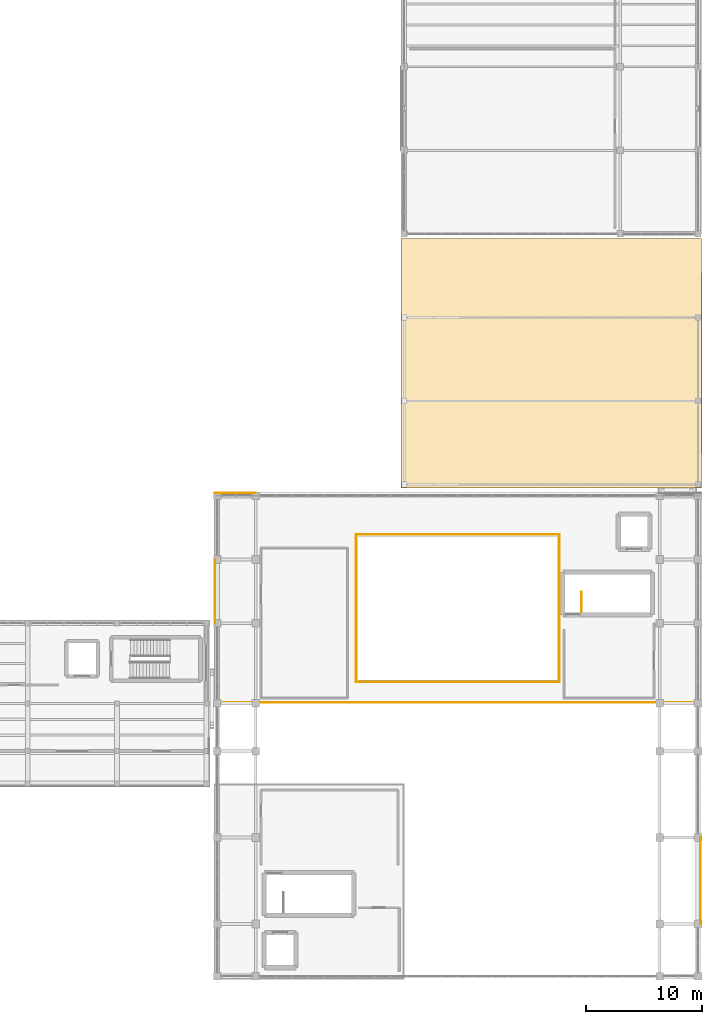
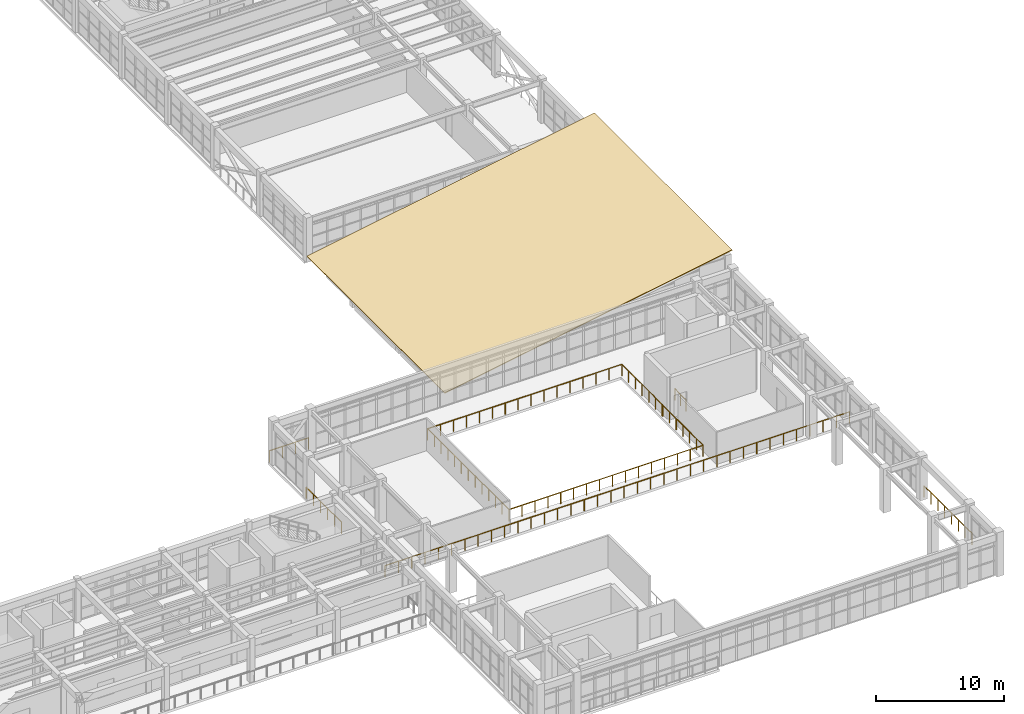
# One storey, part 64 of 66: 7 railings, 1 covering, 1 element without a shape of its own.
"""IFC4 building model written with IfcOpenShell, lengths in metres."""

from ifc_helpers import new_model, si_unit, direction, frame, origin, origin_2d, place, context, subcontext, project, spatial, polyline, circle, outline, extrude, material, layer, layer_set, type_object, element, aggregate, save


model = new_model("IFC4")

# Units and contexts
model_context = context("Model", 3, precision=1e-05, world=origin(), true_north=direction((0.0, 1.0)))
body_context = subcontext(model_context, "Body", "Model", "MODEL_VIEW")
ifc_project = project(units=[si_unit("LENGTHUNIT", "METRE"), si_unit("AREAUNIT", "SQUARE_METRE"), si_unit("VOLUMEUNIT", "CUBIC_METRE"), si_unit("PLANEANGLEUNIT", "RADIAN"), si_unit("MASSUNIT", "GRAM", prefix="KILO")], contexts=[model_context])

# Site, building, storey
site_placement = place(None, origin())
site = spatial("IfcSite", under=ifc_project, at=site_placement, CompositionType="ELEMENT")
building_placement = place(site_placement, origin())
building = spatial("IfcBuilding", under=site, at=building_placement, Name="Candilejo Ridge Gondola Terminal", CompositionType="ELEMENT")
storey_placement = place(building_placement, frame((0.0, 0.0, 14.39990234375)))
storey = spatial("IfcBuildingStorey", under=building, at=storey_placement, Name="L03", CompositionType="ELEMENT", Elevation=14.39990234375)

# Roof, covering
ifc_material_1 = material(Name="Standing-seam Al-Mg-Mn alloy roofing EN AW-3004 1.0 mm", Category="aluminum")
roof_type = type_object("IfcRoofType", Name="ARC-ROOF-SHED", PredefinedType="SHED_ROOF", material=ifc_material_1)
roof_placement = place(storey_placement, origin())
roof = element("IfcRoof", 1, at=roof_placement, inside=storey, type_object=roof_type, Name="Standing-seam shed roof ROOF-SHED-V5A", PredefinedType="SHED_ROOF")
ifc_material_2 = material(Name="Standing-seam Al-Mg-Mn alloy roofing EN AW-3004 1.0 mm", Category="aluminum")
ifc_layer = layer(ifc_material_2, 0.06494140625)
ifc_layer_set = layer_set([ifc_layer], Name="ARC-COV-KALZIP")
covering_type = type_object("IfcCoveringType", Name="ARC-COV-KALZIP", PredefinedType="ROOFING", material=ifc_layer_set)
covering_placement = place(storey_placement, frame((149.699951171875, 48.35009765625, 0.715087890625), z_axis=(-0.173648174044, 0.0, 0.984807753651), x_axis=(0.984807753651, 0.0, 0.173648174044)))
covering = element("IfcCovering", 2, at=covering_placement, type_object=covering_type, Name="Kalzip standing-seam roof sheet RF-V5-GAR", PredefinedType="ROOFING", context=body_context, shape_type="SweptSolid", body=[
    extrude(outline(polyline([(0.0, 0.0), (26.299697974913016, 0.0), (26.299697974913016, 21.500000000000004), (0.0, 21.500000000000004), (0.0, 0.0)])), origin(), (0.0, 0.0, -1.0), 0.06494140625),
])
aggregate(roof, [covering])

# Railings
ifc_material_3 = material(Name="Hot-dip galvanised steel ASTM A500 Grade B", Category="steel")
railing_type_1 = type_object("IfcRailingType", Name="ARC-GUARD-GLASS-1150", PredefinedType="GUARDRAIL", material=ifc_material_3)
railing_1_placement = place(storey_placement, frame((133.679931640625, 36.699951171875, 0.0)))
element("IfcRailing", 3, at=railing_1_placement, inside=storey, type_object=railing_type_1, Name="Deck edge guard GR-V4-L03-BRW", PredefinedType="GUARDRAIL", context=body_context, shape_type="SweptSolid", body=[
    extrude(circle(Radius=0.02392578125, at=origin_2d()), frame((0.0, 0.0, 1.076171875), z_axis=(0.0, 1.0, 0.0), x_axis=(-1.0, 0.0, 0.0)), (0.0, 0.0, 1.0), 5.5),
    extrude(circle(Radius=0.02099609375, at=origin_2d()), origin(), (0.0, 0.0, 1.0), 1.052001953125),
    extrude(circle(Radius=0.02099609375, at=origin_2d()), frame((0.0, 1.10009765625, 0.0)), (0.0, 0.0, 1.0), 1.052001953125),
    extrude(circle(Radius=0.02099609375, at=origin_2d()), frame((0.0, 2.199951171875, 0.0)), (0.0, 0.0, 1.0), 1.052001953125),
    extrude(circle(Radius=0.02099609375, at=origin_2d()), frame((0.0, 3.300048828125, 0.0)), (0.0, 0.0, 1.0), 1.052001953125),
    extrude(circle(Radius=0.02099609375, at=origin_2d()), frame((0.0, 4.39990234375, 0.0)), (0.0, 0.0, 1.0), 1.052001953125),
    extrude(circle(Radius=0.02099609375, at=origin_2d()), frame((0.0, 5.5, 0.0)), (0.0, 0.0, 1.0), 1.052001953125),
])
railing_2_placement = place(storey_placement, frame((175.52001953125, 10.800048828125, 0.0)))
element("IfcRailing", 4, at=railing_2_placement, inside=storey, type_object=railing_type_1, Name="Deck edge guard GR-V4-L03-BRE", PredefinedType="GUARDRAIL", context=body_context, shape_type="SweptSolid", body=[
    extrude(circle(Radius=0.02392578125, at=origin_2d()), frame((0.0, 0.0, 1.076171875), z_axis=(0.0, 1.0, 0.0), x_axis=(-1.0, 0.0, 0.0)), (0.0, 0.0, 1.0), 7.449951171875),
    extrude(circle(Radius=0.02099609375, at=origin_2d()), origin(), (0.0, 0.0, 1.0), 1.052001953125),
    extrude(circle(Radius=0.02099609375, at=origin_2d()), frame((0.0, 1.064208984375, 0.0)), (0.0, 0.0, 1.0), 1.052001953125),
    extrude(circle(Radius=0.02099609375, at=origin_2d()), frame((0.0, 2.128662109375, 0.0)), (0.0, 0.0, 1.0), 1.052001953125),
    extrude(circle(Radius=0.02099609375, at=origin_2d()), frame((0.0, 3.19287109375, 0.0)), (0.0, 0.0, 1.0), 1.052001953125),
    extrude(circle(Radius=0.02099609375, at=origin_2d()), frame((0.0, 4.257080078125, 0.0)), (0.0, 0.0, 1.0), 1.052001953125),
    extrude(circle(Radius=0.02099609375, at=origin_2d()), frame((0.0, 5.3212890625, 0.0)), (0.0, 0.0, 1.0), 1.052001953125),
    extrude(circle(Radius=0.02099609375, at=origin_2d()), frame((0.0, 6.3857421875, 0.0)), (0.0, 0.0, 1.0), 1.052001953125),
    extrude(circle(Radius=0.02099609375, at=origin_2d()), frame((0.0, 7.449951171875, 0.0)), (0.0, 0.0, 1.0), 1.052001953125),
])
railing_3_placement = place(storey_placement, frame((133.679931640625, 29.8798828125, 0.0)))
element("IfcRailing", 5, at=railing_3_placement, inside=storey, type_object=railing_type_1, Name="Deck edge guard GR-V4-L03-OBSS", PredefinedType="GUARDRAIL", context=body_context, shape_type="SweptSolid", body=[
    extrude(circle(Radius=0.02392578125, at=origin_2d()), frame((0.0, 0.0, 1.076171875), z_axis=(1.0, 0.0, 0.0), x_axis=(0.0, 1.0, 0.0)), (0.0, 0.0, 1.0), 41.840087890625),
    extrude(circle(Radius=0.02099609375, at=origin_2d()), origin(), (0.0, 0.0, 1.0), 1.052001953125),
    extrude(circle(Radius=0.02099609375, at=origin_2d()), frame((1.1953125, 0.0, 0.0)), (0.0, 0.0, 1.0), 1.052001953125),
    extrude(circle(Radius=0.02099609375, at=origin_2d()), frame((2.390869140625, 0.0, 0.0)), (0.0, 0.0, 1.0), 1.052001953125),
    extrude(circle(Radius=0.02099609375, at=origin_2d()), frame((3.586181640625, 0.0, 0.0)), (0.0, 0.0, 1.0), 1.052001953125),
    extrude(circle(Radius=0.02099609375, at=origin_2d()), frame((4.78173828125, 0.0, 0.0)), (0.0, 0.0, 1.0), 1.052001953125),
    extrude(circle(Radius=0.02099609375, at=origin_2d()), frame((5.97705078125, 0.0, 0.0)), (0.0, 0.0, 1.0), 1.052001953125),
    extrude(circle(Radius=0.02099609375, at=origin_2d()), frame((7.172607421875, 0.0, 0.0)), (0.0, 0.0, 1.0), 1.052001953125),
    extrude(circle(Radius=0.02099609375, at=origin_2d()), frame((8.367919921875, 0.0, 0.0)), (0.0, 0.0, 1.0), 1.052001953125),
    extrude(circle(Radius=0.02099609375, at=origin_2d()), frame((9.5634765625, 0.0, 0.0)), (0.0, 0.0, 1.0), 1.052001953125),
    extrude(circle(Radius=0.02099609375, at=origin_2d()), frame((10.7587890625, 0.0, 0.0)), (0.0, 0.0, 1.0), 1.052001953125),
    extrude(circle(Radius=0.02099609375, at=origin_2d()), frame((11.954345703125, 0.0, 0.0)), (0.0, 0.0, 1.0), 1.052001953125),
    extrude(circle(Radius=0.02099609375, at=origin_2d()), frame((13.149658203125, 0.0, 0.0)), (0.0, 0.0, 1.0), 1.052001953125),
    extrude(circle(Radius=0.02099609375, at=origin_2d()), frame((14.34521484375, 0.0, 0.0)), (0.0, 0.0, 1.0), 1.052001953125),
    extrude(circle(Radius=0.02099609375, at=origin_2d()), frame((15.54052734375, 0.0, 0.0)), (0.0, 0.0, 1.0), 1.052001953125),
    extrude(circle(Radius=0.02099609375, at=origin_2d()), frame((16.736083984375, 0.0, 0.0)), (0.0, 0.0, 1.0), 1.052001953125),
    extrude(circle(Radius=0.02099609375, at=origin_2d()), frame((17.931396484375, 0.0, 0.0)), (0.0, 0.0, 1.0), 1.052001953125),
    extrude(circle(Radius=0.02099609375, at=origin_2d()), frame((19.126953125, 0.0, 0.0)), (0.0, 0.0, 1.0), 1.052001953125),
    extrude(circle(Radius=0.02099609375, at=origin_2d()), frame((20.322265625, 0.0, 0.0)), (0.0, 0.0, 1.0), 1.052001953125),
    extrude(circle(Radius=0.02099609375, at=origin_2d()), frame((21.517822265625, 0.0, 0.0)), (0.0, 0.0, 1.0), 1.052001953125),
    extrude(circle(Radius=0.02099609375, at=origin_2d()), frame((22.713134765625, 0.0, 0.0)), (0.0, 0.0, 1.0), 1.052001953125),
    extrude(circle(Radius=0.02099609375, at=origin_2d()), frame((23.90869140625, 0.0, 0.0)), (0.0, 0.0, 1.0), 1.052001953125),
    extrude(circle(Radius=0.02099609375, at=origin_2d()), frame((25.10400390625, 0.0, 0.0)), (0.0, 0.0, 1.0), 1.052001953125),
    extrude(circle(Radius=0.02099609375, at=origin_2d()), frame((26.299560546875, 0.0, 0.0)), (0.0, 0.0, 1.0), 1.052001953125),
    extrude(circle(Radius=0.02099609375, at=origin_2d()), frame((27.494873046875, 0.0, 0.0)), (0.0, 0.0, 1.0), 1.052001953125),
    extrude(circle(Radius=0.02099609375, at=origin_2d()), frame((28.6904296875, 0.0, 0.0)), (0.0, 0.0, 1.0), 1.052001953125),
    extrude(circle(Radius=0.02099609375, at=origin_2d()), frame((29.8857421875, 0.0, 0.0)), (0.0, 0.0, 1.0), 1.052001953125),
    extrude(circle(Radius=0.02099609375, at=origin_2d()), frame((31.081298828125, 0.0, 0.0)), (0.0, 0.0, 1.0), 1.052001953125),
    extrude(circle(Radius=0.02099609375, at=origin_2d()), frame((32.276611328125, 0.0, 0.0)), (0.0, 0.0, 1.0), 1.052001953125),
    extrude(circle(Radius=0.02099609375, at=origin_2d()), frame((33.47216796875, 0.0, 0.0)), (0.0, 0.0, 1.0), 1.052001953125),
    extrude(circle(Radius=0.02099609375, at=origin_2d()), frame((34.66748046875, 0.0, 0.0)), (0.0, 0.0, 1.0), 1.052001953125),
    extrude(circle(Radius=0.02099609375, at=origin_2d()), frame((35.863037109375, 0.0, 0.0)), (0.0, 0.0, 1.0), 1.052001953125),
    extrude(circle(Radius=0.02099609375, at=origin_2d()), frame((37.058349609375, 0.0, 0.0)), (0.0, 0.0, 1.0), 1.052001953125),
    extrude(circle(Radius=0.02099609375, at=origin_2d()), frame((38.25390625, 0.0, 0.0)), (0.0, 0.0, 1.0), 1.052001953125),
    extrude(circle(Radius=0.02099609375, at=origin_2d()), frame((39.44921875, 0.0, 0.0)), (0.0, 0.0, 1.0), 1.052001953125),
    extrude(circle(Radius=0.02099609375, at=origin_2d()), frame((40.644775390625, 0.0, 0.0)), (0.0, 0.0, 1.0), 1.052001953125),
    extrude(circle(Radius=0.02099609375, at=origin_2d()), frame((41.840087890625, 0.0, 0.0)), (0.0, 0.0, 1.0), 1.052001953125),
])
railing_4_placement = place(storey_placement, frame((133.679931640625, 47.919921875, 0.0)))
element("IfcRailing", 6, at=railing_4_placement, inside=storey, type_object=railing_type_1, Name="Deck edge guard GR-V4-L03-OBSNW", PredefinedType="GUARDRAIL", context=body_context, shape_type="SweptSolid", body=[
    extrude(circle(Radius=0.02392578125, at=origin_2d()), frame((0.0, 0.0, 1.076171875), z_axis=(1.0, 0.0, 0.0), x_axis=(0.0, 1.0, 0.0)), (0.0, 0.0, 1.0), 3.52001953125),
    extrude(circle(Radius=0.02099609375, at=origin_2d()), origin(), (0.0, 0.0, 1.0), 1.052001953125),
    extrude(circle(Radius=0.02099609375, at=origin_2d()), frame((1.17333984375, 0.0, 0.0)), (0.0, 0.0, 1.0), 1.052001953125),
    extrude(circle(Radius=0.02099609375, at=origin_2d()), frame((2.3466796875, 0.0, 0.0)), (0.0, 0.0, 1.0), 1.052001953125),
    extrude(circle(Radius=0.02099609375, at=origin_2d()), frame((3.52001953125, 0.0, 0.0)), (0.0, 0.0, 1.0), 1.052001953125),
])
railing_5_placement = place(storey_placement, frame((145.85009765625, 37.9599609375, 0.0)))
element("IfcRailing", 7, at=railing_5_placement, inside=storey, type_object=railing_type_1, Name="Well balustrade GR-V4-L03-VOID-S", PredefinedType="GUARDRAIL", context=body_context, shape_type="SweptSolid", body=[
    extrude(circle(Radius=0.02392578125, at=origin_2d()), frame((0.0, 0.0, 1.076171875), z_axis=(0.0, -1.0, 0.0), x_axis=(1.0, 0.0, 0.0)), (0.0, 0.0, 1.0), 6.31005859375),
    extrude(circle(Radius=0.02392578125, at=origin_2d()), frame((0.0, -6.31005859375, 1.076171875), z_axis=(1.0, 0.0, 0.0), x_axis=(0.0, 1.0, 0.0)), (0.0, 0.0, 1.0), 17.5),
    extrude(circle(Radius=0.02392578125, at=origin_2d()), frame((17.5, -6.31005859375, 1.076171875), z_axis=(0.0, 1.0, 0.0), x_axis=(-1.0, 0.0, 0.0)), (0.0, 0.0, 1.0), 6.31005859375),
    extrude(circle(Radius=0.02099609375, at=origin_2d()), origin(), (0.0, 0.0, 1.0), 1.052001953125),
    extrude(circle(Radius=0.02099609375, at=origin_2d()), frame((0.0, -1.0517578125, 0.0)), (0.0, 0.0, 1.0), 1.052001953125),
    extrude(circle(Radius=0.02099609375, at=origin_2d()), frame((0.0, -2.103271484375, 0.0)), (0.0, 0.0, 1.0), 1.052001953125),
    extrude(circle(Radius=0.02099609375, at=origin_2d()), frame((0.0, -3.155029296875, 0.0)), (0.0, 0.0, 1.0), 1.052001953125),
    extrude(circle(Radius=0.02099609375, at=origin_2d()), frame((0.0, -4.206787109375, 0.0)), (0.0, 0.0, 1.0), 1.052001953125),
    extrude(circle(Radius=0.02099609375, at=origin_2d()), frame((0.0, -5.25830078125, 0.0)), (0.0, 0.0, 1.0), 1.052001953125),
    extrude(circle(Radius=0.02099609375, at=origin_2d()), frame((0.0, -6.31005859375, 0.0)), (0.0, 0.0, 1.0), 1.052001953125),
    extrude(circle(Radius=0.02099609375, at=origin_2d()), frame((1.166748046875, -6.31005859375, 0.0)), (0.0, 0.0, 1.0), 1.052001953125),
    extrude(circle(Radius=0.02099609375, at=origin_2d()), frame((2.333251953125, -6.31005859375, 0.0)), (0.0, 0.0, 1.0), 1.052001953125),
    extrude(circle(Radius=0.02099609375, at=origin_2d()), frame((3.5, -6.31005859375, 0.0)), (0.0, 0.0, 1.0), 1.052001953125),
    extrude(circle(Radius=0.02099609375, at=origin_2d()), frame((4.666748046875, -6.31005859375, 0.0)), (0.0, 0.0, 1.0), 1.052001953125),
    extrude(circle(Radius=0.02099609375, at=origin_2d()), frame((5.833251953125, -6.31005859375, 0.0)), (0.0, 0.0, 1.0), 1.052001953125),
    extrude(circle(Radius=0.02099609375, at=origin_2d()), frame((7.0, -6.31005859375, 0.0)), (0.0, 0.0, 1.0), 1.052001953125),
    extrude(circle(Radius=0.02099609375, at=origin_2d()), frame((8.166748046875, -6.31005859375, 0.0)), (0.0, 0.0, 1.0), 1.052001953125),
    extrude(circle(Radius=0.02099609375, at=origin_2d()), frame((9.333251953125, -6.31005859375, 0.0)), (0.0, 0.0, 1.0), 1.052001953125),
    extrude(circle(Radius=0.02099609375, at=origin_2d()), frame((10.5, -6.31005859375, 0.0)), (0.0, 0.0, 1.0), 1.052001953125),
    extrude(circle(Radius=0.02099609375, at=origin_2d()), frame((11.666748046875, -6.31005859375, 0.0)), (0.0, 0.0, 1.0), 1.052001953125),
    extrude(circle(Radius=0.02099609375, at=origin_2d()), frame((12.833251953125, -6.31005859375, 0.0)), (0.0, 0.0, 1.0), 1.052001953125),
    extrude(circle(Radius=0.02099609375, at=origin_2d()), frame((14.0, -6.31005859375, 0.0)), (0.0, 0.0, 1.0), 1.052001953125),
    extrude(circle(Radius=0.02099609375, at=origin_2d()), frame((15.166748046875, -6.31005859375, 0.0)), (0.0, 0.0, 1.0), 1.052001953125),
    extrude(circle(Radius=0.02099609375, at=origin_2d()), frame((16.333251953125, -6.31005859375, 0.0)), (0.0, 0.0, 1.0), 1.052001953125),
    extrude(circle(Radius=0.02099609375, at=origin_2d()), frame((17.5, -6.31005859375, 0.0)), (0.0, 0.0, 1.0), 1.052001953125),
    extrude(circle(Radius=0.02099609375, at=origin_2d()), frame((17.5, -5.25830078125, 0.0)), (0.0, 0.0, 1.0), 1.052001953125),
    extrude(circle(Radius=0.02099609375, at=origin_2d()), frame((17.5, -4.206787109375, 0.0)), (0.0, 0.0, 1.0), 1.052001953125),
    extrude(circle(Radius=0.02099609375, at=origin_2d()), frame((17.5, -3.155029296875, 0.0)), (0.0, 0.0, 1.0), 1.052001953125),
    extrude(circle(Radius=0.02099609375, at=origin_2d()), frame((17.5, -2.103271484375, 0.0)), (0.0, 0.0, 1.0), 1.052001953125),
    extrude(circle(Radius=0.02099609375, at=origin_2d()), frame((17.5, -1.0517578125, 0.0)), (0.0, 0.0, 1.0), 1.052001953125),
    extrude(circle(Radius=0.02099609375, at=origin_2d()), frame((17.5, 0.0, 0.0)), (0.0, 0.0, 1.0), 1.052001953125),
])
railing_6_placement = place(storey_placement, frame((145.85009765625, 38.0400390625, 0.0)))
element("IfcRailing", 8, at=railing_6_placement, inside=storey, type_object=railing_type_1, Name="Well balustrade GR-V4-L03-VOID-N", PredefinedType="GUARDRAIL", context=body_context, shape_type="SweptSolid", body=[
    extrude(circle(Radius=0.02392578125, at=origin_2d()), frame((0.0, 0.0, 1.076171875), z_axis=(0.0, 1.0, 0.0), x_axis=(-1.0, 0.0, 0.0)), (0.0, 0.0, 1.0), 6.31005859375),
    extrude(circle(Radius=0.02392578125, at=origin_2d()), frame((0.0, 6.31005859375, 1.076171875), z_axis=(1.0, 0.0, 0.0), x_axis=(0.0, 1.0, 0.0)), (0.0, 0.0, 1.0), 17.5),
    extrude(circle(Radius=0.02392578125, at=origin_2d()), frame((17.5, 6.31005859375, 1.076171875), z_axis=(0.0, -1.0, 0.0), x_axis=(1.0, 0.0, 0.0)), (0.0, 0.0, 1.0), 6.31005859375),
    extrude(circle(Radius=0.02099609375, at=origin_2d()), origin(), (0.0, 0.0, 1.0), 1.052001953125),
    extrude(circle(Radius=0.02099609375, at=origin_2d()), frame((0.0, 1.0517578125, 0.0)), (0.0, 0.0, 1.0), 1.052001953125),
    extrude(circle(Radius=0.02099609375, at=origin_2d()), frame((0.0, 2.103271484375, 0.0)), (0.0, 0.0, 1.0), 1.052001953125),
    extrude(circle(Radius=0.02099609375, at=origin_2d()), frame((0.0, 3.155029296875, 0.0)), (0.0, 0.0, 1.0), 1.052001953125),
    extrude(circle(Radius=0.02099609375, at=origin_2d()), frame((0.0, 4.206787109375, 0.0)), (0.0, 0.0, 1.0), 1.052001953125),
    extrude(circle(Radius=0.02099609375, at=origin_2d()), frame((0.0, 5.25830078125, 0.0)), (0.0, 0.0, 1.0), 1.052001953125),
    extrude(circle(Radius=0.02099609375, at=origin_2d()), frame((0.0, 6.31005859375, 0.0)), (0.0, 0.0, 1.0), 1.052001953125),
    extrude(circle(Radius=0.02099609375, at=origin_2d()), frame((1.166748046875, 6.31005859375, 0.0)), (0.0, 0.0, 1.0), 1.052001953125),
    extrude(circle(Radius=0.02099609375, at=origin_2d()), frame((2.333251953125, 6.31005859375, 0.0)), (0.0, 0.0, 1.0), 1.052001953125),
    extrude(circle(Radius=0.02099609375, at=origin_2d()), frame((3.5, 6.31005859375, 0.0)), (0.0, 0.0, 1.0), 1.052001953125),
    extrude(circle(Radius=0.02099609375, at=origin_2d()), frame((4.666748046875, 6.31005859375, 0.0)), (0.0, 0.0, 1.0), 1.052001953125),
    extrude(circle(Radius=0.02099609375, at=origin_2d()), frame((5.833251953125, 6.31005859375, 0.0)), (0.0, 0.0, 1.0), 1.052001953125),
    extrude(circle(Radius=0.02099609375, at=origin_2d()), frame((7.0, 6.31005859375, 0.0)), (0.0, 0.0, 1.0), 1.052001953125),
    extrude(circle(Radius=0.02099609375, at=origin_2d()), frame((8.166748046875, 6.31005859375, 0.0)), (0.0, 0.0, 1.0), 1.052001953125),
    extrude(circle(Radius=0.02099609375, at=origin_2d()), frame((9.333251953125, 6.31005859375, 0.0)), (0.0, 0.0, 1.0), 1.052001953125),
    extrude(circle(Radius=0.02099609375, at=origin_2d()), frame((10.5, 6.31005859375, 0.0)), (0.0, 0.0, 1.0), 1.052001953125),
    extrude(circle(Radius=0.02099609375, at=origin_2d()), frame((11.666748046875, 6.31005859375, 0.0)), (0.0, 0.0, 1.0), 1.052001953125),
    extrude(circle(Radius=0.02099609375, at=origin_2d()), frame((12.833251953125, 6.31005859375, 0.0)), (0.0, 0.0, 1.0), 1.052001953125),
    extrude(circle(Radius=0.02099609375, at=origin_2d()), frame((14.0, 6.31005859375, 0.0)), (0.0, 0.0, 1.0), 1.052001953125),
    extrude(circle(Radius=0.02099609375, at=origin_2d()), frame((15.166748046875, 6.31005859375, 0.0)), (0.0, 0.0, 1.0), 1.052001953125),
    extrude(circle(Radius=0.02099609375, at=origin_2d()), frame((16.333251953125, 6.31005859375, 0.0)), (0.0, 0.0, 1.0), 1.052001953125),
    extrude(circle(Radius=0.02099609375, at=origin_2d()), frame((17.5, 6.31005859375, 0.0)), (0.0, 0.0, 1.0), 1.052001953125),
    extrude(circle(Radius=0.02099609375, at=origin_2d()), frame((17.5, 5.25830078125, 0.0)), (0.0, 0.0, 1.0), 1.052001953125),
    extrude(circle(Radius=0.02099609375, at=origin_2d()), frame((17.5, 4.206787109375, 0.0)), (0.0, 0.0, 1.0), 1.052001953125),
    extrude(circle(Radius=0.02099609375, at=origin_2d()), frame((17.5, 3.155029296875, 0.0)), (0.0, 0.0, 1.0), 1.052001953125),
    extrude(circle(Radius=0.02099609375, at=origin_2d()), frame((17.5, 2.103271484375, 0.0)), (0.0, 0.0, 1.0), 1.052001953125),
    extrude(circle(Radius=0.02099609375, at=origin_2d()), frame((17.5, 1.0517578125, 0.0)), (0.0, 0.0, 1.0), 1.052001953125),
    extrude(circle(Radius=0.02099609375, at=origin_2d()), frame((17.5, 0.0, 0.0)), (0.0, 0.0, 1.0), 1.052001953125),
])
ifc_material_4 = material(Name="Hot-dip galvanised steel ASTM A500 Grade B", Category="steel")
railing_type_2 = type_object("IfcRailingType", Name="ARC-STAIR-GUARD-1100", PredefinedType="GUARDRAIL", material=ifc_material_4)
railing_7_placement = place(storey_placement, frame((165.280029296875, 37.68505859375, 0.0)))
element("IfcRailing", 9, at=railing_7_placement, inside=storey, type_object=railing_type_2, Name="Arrival well guard ST-V4B-L02-ARR-L03", PredefinedType="GUARDRAIL", context=body_context, shape_type="SweptSolid", body=[
    extrude(circle(Radius=0.02392578125, at=origin_2d()), frame((0.0, 0.0, 1.076171875), z_axis=(0.0, 1.0, 0.0), x_axis=(-1.0, 0.0, 0.0)), (0.0, 0.0, 1.0), 1.72998046875),
    extrude(circle(Radius=0.02099609375, at=origin_2d()), origin(), (0.0, 0.0, 1.0), 1.052001953125),
    extrude(circle(Radius=0.02099609375, at=origin_2d()), frame((0.0, 0.864990234375, 0.0)), (0.0, 0.0, 1.0), 1.052001953125),
    extrude(circle(Radius=0.02099609375, at=origin_2d()), frame((0.0, 1.72998046875, 0.0)), (0.0, 0.0, 1.0), 1.052001953125),
])

save(model, "model.ifc")
